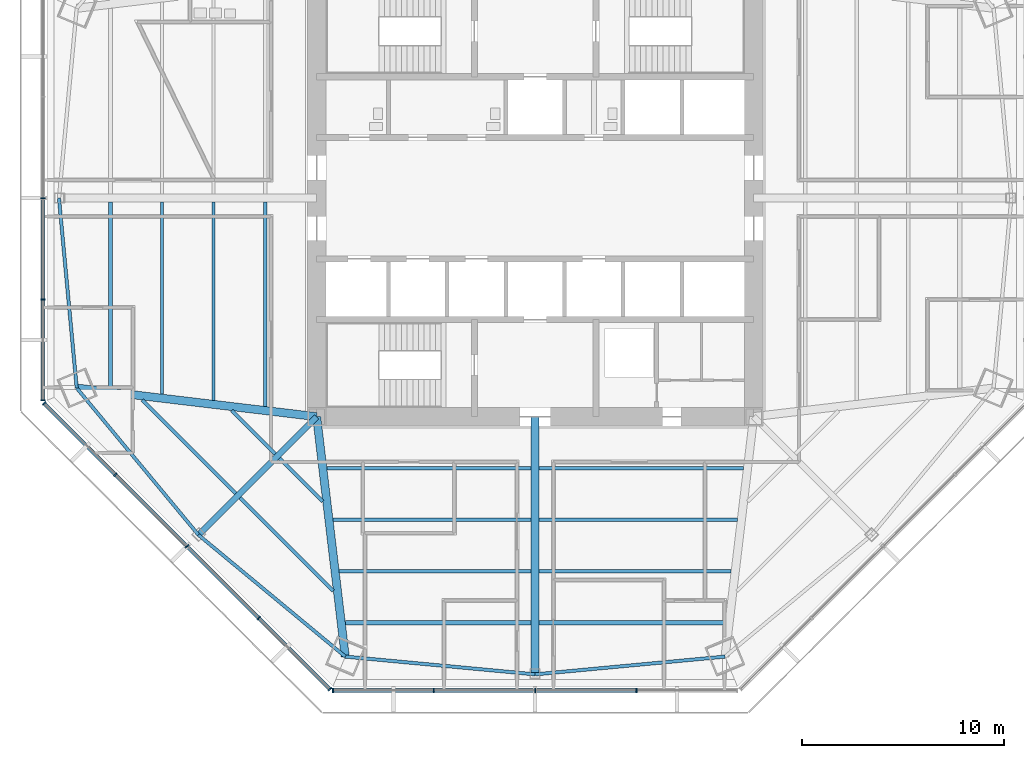
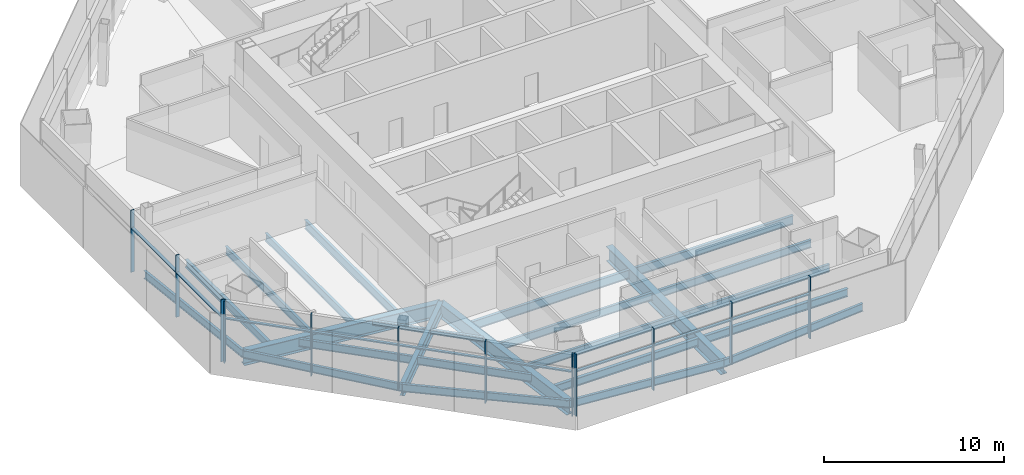
# One storey, part 2 of 14: 25 beams, 21 members, 3 elements without a shape of their own.
"""IFC4 building model written with IfcOpenShell, lengths in metres."""

from ifc_helpers import new_model, si_unit, direction, frame, origin, origin_2d, place, context, subcontext, project, spatial, rectangle, i_section, extrude, source, transform, mapped, material, material_profile, profile_set, type_object, type_shapes, element, aggregate, save


model = new_model("IFC4")

# Units and contexts
model_context = context("Model", 3, precision=1e-05, world=origin(), true_north=direction((0.0, 1.0)))
body_context = subcontext(model_context, "Body", "Model", "MODEL_VIEW")
ifc_project = project(units=[si_unit("LENGTHUNIT", "METRE"), si_unit("AREAUNIT", "SQUARE_METRE"), si_unit("VOLUMEUNIT", "CUBIC_METRE"), si_unit("PLANEANGLEUNIT", "RADIAN"), si_unit("MASSUNIT", "GRAM", prefix="KILO")], contexts=[model_context])

# Site, building, storey
site_placement = place(None, origin())
site = spatial("IfcSite", under=ifc_project, at=site_placement, CompositionType="ELEMENT")
building_placement = place(site_placement, origin())
building = spatial("IfcBuilding", under=site, at=building_placement, Name="Mashrafa Tower", CompositionType="ELEMENT")
storey_placement = place(building_placement, frame((0.0, 0.0, 130.199951171875)))
storey = spatial("IfcBuildingStorey", under=building, at=storey_placement, Name="L29", CompositionType="ELEMENT", Elevation=130.199951171875)

# Beams
ifc_material_1 = material(Name="Steel ASTM A992", Category="steel")
ifc_material_profile_1 = material_profile(ifc_material_1, i_section(OverallWidth=0.164794921875, OverallDepth=0.309814453125, WebThickness=0.005859375, FlangeThickness=0.009765625, FilletRadius=0.007568359375, at=origin_2d()), Name="W12X26")
ifc_profile_set_1 = profile_set([ifc_material_profile_1], Name="Steel ASTM A992")
beam_type_1 = type_object("IfcBeamType", Name="Beam W12X26", PredefinedType="BEAM", material=ifc_profile_set_1)
for number, where, z_axis, x_axis, name in (
    (1, (-12.850830078125, -12.644287109375, -0.31982421875), (-0.707106781187, 0.707106781187, 0.0), (-0.707106781187, -0.707106781187, 0.0), "Floor beam L29 013"),
    (2, (-10.501953125, -14.9931640625, -0.31982421875), (-0.707106781187, 0.707106781187, 0.0), (-0.707106781187, -0.707106781187, 0.0), "Floor beam L29 016"),
):
    element("IfcBeam", number, at=place(storey_placement, frame(where, z_axis=z_axis, x_axis=x_axis)), inside=storey, type_object=beam_type_1, Name=name, PredefinedType="BEAM", context=body_context, shape_type="SweptSolid", body=[
        extrude(i_section(OverallWidth=0.164794921875, OverallDepth=0.309814453125, WebThickness=0.005859375, FlangeThickness=0.009765625, FilletRadius=0.007568359375, at=origin_2d()), origin(), (0.0, 0.0, 1.0), 3.02978515625),
    ])
ifc_material_2 = material(Name="Steel ASTM A992", Category="steel")
ifc_material_profile_2 = material_profile(ifc_material_2, i_section(OverallWidth=0.1650390625, OverallDepth=0.52587890625, WebThickness=0.0087890625, FlangeThickness=0.011474609375, FilletRadius=0.0126953125, at=origin_2d()), Name="W21X44")
ifc_profile_set_2 = profile_set([ifc_material_profile_2], Name="Steel ASTM A992")
beam_type_2 = type_object("IfcBeamType", Name="Beam W21X44", PredefinedType="BEAM", material=ifc_profile_set_2)
beam_1_placement = place(storey_placement, frame((-18.441650390625, -9.686279296875, -0.427734375), z_axis=(0.0, 1.0, 0.0), x_axis=(-1.0, 0.0, 0.0)))
element("IfcBeam", 3, at=beam_1_placement, inside=storey, type_object=beam_type_2, Name="Floor beam L29 004", PredefinedType="BEAM", context=body_context, shape_type="SweptSolid", body=[
    extrude(i_section(OverallWidth=0.1650390625, OverallDepth=0.52587890625, WebThickness=0.0087890625, FlangeThickness=0.011474609375, FilletRadius=0.0126953125, at=origin_2d()), origin(), (0.0, 0.0, 1.0), 9.485595703125),
])
beam_2_placement = place(storey_placement, frame((-15.89453125, -9.989990234375, -0.427734375), z_axis=(0.0, 1.0, 0.0), x_axis=(-1.0, 0.0, 0.0)))
element("IfcBeam", 4, at=beam_2_placement, inside=storey, type_object=beam_type_2, Name="Floor beam L29 006", PredefinedType="BEAM", context=body_context, shape_type="SweptSolid", body=[
    extrude(i_section(OverallWidth=0.1650390625, OverallDepth=0.52587890625, WebThickness=0.0087890625, FlangeThickness=0.011474609375, FilletRadius=0.0126953125, at=origin_2d()), origin(), (0.0, 0.0, 1.0), 9.789306640625),
])
for number, where, z_axis, x_axis, name in (
    (5, (-14.79833984375, -14.591796875, -0.427734375), (-0.707106781187, 0.707106781187, 0.0), (-0.707106781187, -0.707106781187, 0.0), "Floor beam L29 009"),
    (6, (-9.97412109375, -19.416015625, -0.427734375), (-0.707106781187, 0.707106781187, 0.0), (-0.707106781187, -0.707106781187, 0.0), "Floor beam L29 019"),
):
    element("IfcBeam", number, at=place(storey_placement, frame(where, z_axis=z_axis, x_axis=x_axis)), inside=storey, type_object=beam_type_2, Name=name, PredefinedType="BEAM", context=body_context, shape_type="SweptSolid", body=[
        extrude(i_section(OverallWidth=0.1650390625, OverallDepth=0.52587890625, WebThickness=0.0087890625, FlangeThickness=0.011474609375, FilletRadius=0.0126953125, at=origin_2d()), origin(), (0.0, 0.0, 1.0), 6.5302734375),
    ])
beam_3_placement = place(storey_placement, frame((-0.20068359375, -18.441650390625, -0.427734375), z_axis=(-1.0, 0.0, 0.0), x_axis=(0.0, -1.0, 0.0)))
element("IfcBeam", 7, at=beam_3_placement, inside=storey, type_object=beam_type_2, Name="Floor beam L29 022", PredefinedType="BEAM", context=body_context, shape_type="SweptSolid", body=[
    extrude(i_section(OverallWidth=0.1650390625, OverallDepth=0.52587890625, WebThickness=0.0087890625, FlangeThickness=0.011474609375, FilletRadius=0.0126953125, at=origin_2d()), origin(), (0.0, 0.0, 1.0), 9.485595703125),
])
beam_4_placement = place(storey_placement, frame((-0.20068359375, -15.89453125, -0.427734375), z_axis=(-1.0, 0.0, 0.0), x_axis=(0.0, -1.0, 0.0)))
element("IfcBeam", 8, at=beam_4_placement, inside=storey, type_object=beam_type_2, Name="Floor beam L29 023", PredefinedType="BEAM", context=body_context, shape_type="SweptSolid", body=[
    extrude(i_section(OverallWidth=0.1650390625, OverallDepth=0.52587890625, WebThickness=0.0087890625, FlangeThickness=0.011474609375, FilletRadius=0.0126953125, at=origin_2d()), origin(), (0.0, 0.0, 1.0), 9.789306640625),
])
beam_5_placement = place(storey_placement, frame((9.686279296875, -18.441650390625, -0.427734375), z_axis=(-1.0, 0.0, 0.0), x_axis=(0.0, -1.0, 0.0)))
element("IfcBeam", 9, at=beam_5_placement, inside=storey, type_object=beam_type_2, Name="Floor beam L29 031", PredefinedType="BEAM", context=body_context, shape_type="SweptSolid", body=[
    extrude(i_section(OverallWidth=0.1650390625, OverallDepth=0.52587890625, WebThickness=0.0087890625, FlangeThickness=0.011474609375, FilletRadius=0.0126953125, at=origin_2d()), origin(), (0.0, 0.0, 1.0), 9.485595703125),
])
beam_6_placement = place(storey_placement, frame((9.989990234375, -15.89453125, -0.427734375), z_axis=(-1.0, 0.0, 0.0), x_axis=(0.0, -1.0, 0.0)))
element("IfcBeam", 10, at=beam_6_placement, inside=storey, type_object=beam_type_2, Name="Floor beam L29 032", PredefinedType="BEAM", context=body_context, shape_type="SweptSolid", body=[
    extrude(i_section(OverallWidth=0.1650390625, OverallDepth=0.52587890625, WebThickness=0.0087890625, FlangeThickness=0.011474609375, FilletRadius=0.0126953125, at=origin_2d()), origin(), (0.0, 0.0, 1.0), 9.789306640625),
])
for number, where, z_axis, x_axis, name in (
    (11, (-23.5361328125, 0.0, -0.427734375), (0.093162590864, -0.995650908533, 0.0), (0.995650908533, 0.093162590864, 0.0), "Spandrel beam L29 065"),
    (12, (-22.657958984375, -9.38525390625, -0.427734375), (0.63815431328, -0.76990848316, 0.0), (0.76990848316, 0.63815431328, 0.0), "Spandrel beam L29 066"),
    (13, (-16.642578125, -16.642578125, -0.427734375), (0.76990848316, -0.63815431328, 0.0), (0.63815431328, 0.76990848316, 0.0), "Spandrel beam L29 068"),
    (14, (-9.38525390625, -22.657958984375, -0.427734375), (0.995650908533, -0.093162590864, 0.0), (0.093162590864, 0.995650908533, 0.0), "Spandrel beam L29 070"),
    (15, (0.0, -23.5361328125, -0.427734375), (0.995650908533, 0.093162590864, 0.0), (-0.093162590864, 0.995650908533, 0.0), "Spandrel beam L29 072"),
):
    element("IfcBeam", number, at=place(storey_placement, frame(where, z_axis=z_axis, x_axis=x_axis)), inside=storey, type_object=beam_type_2, Name=name, PredefinedType="BEAM", context=body_context, shape_type="SweptSolid", body=[
        extrude(i_section(OverallWidth=0.1650390625, OverallDepth=0.52587890625, WebThickness=0.0087890625, FlangeThickness=0.011474609375, FilletRadius=0.0126953125, at=origin_2d()), origin(), (0.0, 0.0, 1.0), 9.42626953125),
    ])
ifc_material_3 = material(Name="Steel ASTM A992", Category="steel")
ifc_material_profile_3 = material_profile(ifc_material_3, i_section(OverallWidth=0.209228515625, OverallDepth=0.533447265625, WebThickness=0.01025390625, FlangeThickness=0.015625, FilletRadius=0.012939453125, at=origin_2d()), Name="W21X62")
ifc_profile_set_3 = profile_set([ifc_material_profile_3], Name="Steel ASTM A992")
beam_type_3 = type_object("IfcBeamType", Name="Beam W21X62", PredefinedType="BEAM", material=ifc_profile_set_3)
for number, where, z_axis, x_axis, name in (
    (16, (-20.989013671875, -9.38232421875, -0.431640625), (0.0, 1.0, 0.0), (-1.0, 0.0, 0.0), "Floor beam L29 001"),
    (17, (-0.20068359375, -20.989013671875, -0.431640625), (-1.0, 0.0, 0.0), (0.0, -1.0, 0.0), "Floor beam L29 021"),
    (18, (9.38232421875, -20.989013671875, -0.431640625), (-1.0, 0.0, 0.0), (0.0, -1.0, 0.0), "Floor beam L29 029"),
):
    element("IfcBeam", number, at=place(storey_placement, frame(where, z_axis=z_axis, x_axis=x_axis)), inside=storey, type_object=beam_type_3, Name=name, PredefinedType="BEAM", context=body_context, shape_type="SweptSolid", body=[
        extrude(i_section(OverallWidth=0.209228515625, OverallDepth=0.533447265625, WebThickness=0.01025390625, FlangeThickness=0.015625, FilletRadius=0.012939453125, at=origin_2d()), origin(), (0.0, 0.0, 1.0), 9.181640625),
    ])
ifc_material_4 = material(Name="Steel ASTM A992", Category="steel")
ifc_material_profile_4 = material_profile(ifc_material_4, i_section(OverallWidth=0.177978515625, OverallDepth=0.599365234375, WebThickness=0.010009765625, FlangeThickness=0.012939453125, FilletRadius=0.012939453125, at=origin_2d()), Name="W24X55")
ifc_profile_set_4 = profile_set([ifc_material_profile_4], Name="Steel ASTM A992")
beam_type_4 = type_object("IfcBeamType", Name="Beam W24X55", PredefinedType="BEAM", material=ifc_profile_set_4)
for number, where, z_axis, x_axis, name in (
    (19, (-13.34716796875, -10.2939453125, -0.464599609375), (0.0, 1.0, 0.0), (-1.0, 0.0, 0.0), "Floor beam L29 011"),
    (20, (-0.20068359375, -13.34716796875, -0.464599609375), (-1.0, 0.0, 0.0), (0.0, -1.0, 0.0), "Floor beam L29 024"),
    (21, (10.2939453125, -13.34716796875, -0.464599609375), (-1.0, 0.0, 0.0), (0.0, -1.0, 0.0), "Floor beam L29 034"),
):
    element("IfcBeam", number, at=place(storey_placement, frame(where, z_axis=z_axis, x_axis=x_axis)), inside=storey, type_object=beam_type_4, Name=name, PredefinedType="BEAM", context=body_context, shape_type="SweptSolid", body=[
        extrude(i_section(OverallWidth=0.177978515625, OverallDepth=0.599365234375, WebThickness=0.010009765625, FlangeThickness=0.012939453125, FilletRadius=0.012939453125, at=origin_2d()), origin(), (0.0, 0.0, 1.0), 10.09326171875),
    ])
ifc_material_5 = material(Name="Steel ASTM A992", Category="steel")
ifc_material_profile_5 = material_profile(ifc_material_5, i_section(OverallWidth=0.2919921875, OverallDepth=0.8408203125, WebThickness=0.0146484375, FlangeThickness=0.021728515625, FilletRadius=0.017333984375, at=origin_2d()), Name="W33X130")
ifc_profile_set_5 = profile_set([ifc_material_profile_5], Name="Steel ASTM A992")
beam_type_5 = type_object("IfcBeamType", Name="Beam W33X130", PredefinedType="BEAM", material=ifc_profile_set_5)
beam_7_placement = place(storey_placement, frame((-10.800048828125, -10.800048828125, -0.585205078125), z_axis=(-0.707106781187, -0.707106781187, 0.0), x_axis=(0.707106781187, -0.707106781187, 0.0)))
element("IfcBeam", 22, at=beam_7_placement, inside=storey, type_object=beam_type_5, Name="Radial girder L29 050", PredefinedType="BEAM", context=body_context, shape_type="SweptSolid", body=[
    extrude(i_section(OverallWidth=0.2919921875, OverallDepth=0.8408203125, WebThickness=0.0146484375, FlangeThickness=0.021728515625, FilletRadius=0.017333984375, at=origin_2d()), origin(), (0.0, 0.0, 1.0), 8.2626953125),
])
ifc_material_6 = material(Name="Steel ASTM A992", Category="steel")
ifc_material_profile_6 = material_profile(ifc_material_6, i_section(OverallWidth=0.4013671875, OverallDepth=0.98291015625, WebThickness=0.0166015625, FlangeThickness=0.027099609375, FilletRadius=0.0126953125, at=origin_2d()), Name="W40X199")
ifc_profile_set_6 = profile_set([ifc_material_profile_6], Name="Steel ASTM A992")
beam_type_6 = type_object("IfcBeamType", Name="Beam W40X199", PredefinedType="BEAM", material=ifc_profile_set_6)
for number, where, z_axis, x_axis, name in (
    (23, (-10.800048828125, -10.800048828125, -0.656494140625), (-0.992957386055, 0.118472062017, 0.0), (-0.118472062017, -0.992957386055, 0.0), "Radial girder L29 049"),
    (24, (-10.800048828125, -10.800048828125, -0.656494140625), (0.118472062017, -0.992957386055, 0.0), (0.992957386055, 0.118472062017, 0.0), "Radial girder L29 051"),
):
    element("IfcBeam", number, at=place(storey_placement, frame(where, z_axis=z_axis, x_axis=x_axis)), inside=storey, type_object=beam_type_6, Name=name, PredefinedType="BEAM", context=body_context, shape_type="SweptSolid", body=[
        extrude(i_section(OverallWidth=0.4013671875, OverallDepth=0.98291015625, WebThickness=0.0166015625, FlangeThickness=0.027099609375, FilletRadius=0.0126953125, at=origin_2d()), origin(), (0.0, 0.0, 1.0), 11.94189453125),
    ])
ifc_material_7 = material(Name="Steel ASTM A992", Category="steel")
ifc_material_profile_7 = material_profile(ifc_material_7, i_section(OverallWidth=0.4013671875, OverallDepth=1.010986328125, WebThickness=0.023681640625, FlangeThickness=0.0419921875, FilletRadius=0.02001953125, at=origin_2d()), Name="W40X297")
ifc_profile_set_7 = profile_set([ifc_material_profile_7], Name="Steel ASTM A992")
beam_type_7 = type_object("IfcBeamType", Name="Beam W40X297", PredefinedType="BEAM", material=ifc_profile_set_7)
beam_8_placement = place(storey_placement, frame((0.0, -10.800048828125, -0.67041015625), z_axis=(0.0, -1.0, 0.0), x_axis=(1.0, 0.0, 0.0)))
element("IfcBeam", 25, at=beam_8_placement, inside=storey, type_object=beam_type_7, Name="Radial girder L29 056", PredefinedType="BEAM", context=body_context, shape_type="SweptSolid", body=[
    extrude(i_section(OverallWidth=0.4013671875, OverallDepth=1.010986328125, WebThickness=0.023681640625, FlangeThickness=0.0419921875, FilletRadius=0.02001953125, at=origin_2d()), origin(), (0.0, 0.0, 1.0), 12.736083984375),
])

# Curtain wall, members
ifc_material_8 = material(Name="Unitised aluminium curtain wall", Category="aluminium")
curtain_wall_type = type_object("IfcCurtainWallType", Name="Office curtain wall, zone 2 CW-B 225 deep", PredefinedType="NOTDEFINED", material=ifc_material_8)
curtain_wall_1_placement = place(storey_placement, origin())
curtain_wall_1 = element("IfcCurtainWall", 26, at=curtain_wall_1_placement, inside=storey, type_object=curtain_wall_type, Name="Office curtain wall, zone 2 L29 west", PredefinedType="NOTDEFINED")
ifc_material_9 = material(Name="Extruded aluminium mullion", Category="aluminium")
ifc_material_profile_8 = material_profile(ifc_material_9, rectangle(XDim=0.22509765625, YDim=0.06494140625, at=origin_2d()), Name="Mullion 65x225")
ifc_profile_set_8 = profile_set([ifc_material_profile_8], Name="Extruded aluminium mullion")
member_type_1 = type_object("IfcMemberType", Name="Mullion CW-B 65 x 225", PredefinedType="MULLION", material=ifc_profile_set_8)
shared_shape_1 = source(origin(), body_context, "Body", "SweptSolid", [
    extrude(rectangle(XDim=0.22509765625, YDim=0.06494140625, at=origin_2d()), origin(), (0.0, 0.0, 1.0), 4.199951171875),
])
type_shapes(member_type_1, [shared_shape_1])
member_1_placement = place(storey_placement, frame((-24.33154296875, 0.0, 0.0), z_axis=(0.0, 0.0, 1.0), x_axis=(1.0, 0.0, 0.0)))
member_1 = element("IfcMember", 27, at=member_1_placement, type_object=member_type_1, Name="CW-B mullion 3", PredefinedType="MULLION", context=body_context, shape_type="MappedRepresentation", body=[
    mapped(shared_shape_1, transform((0.0, 0.0, 0.0))),
])
member_2_placement = place(storey_placement, frame((-24.33154296875, -5.010986328125, 0.0), z_axis=(0.0, 0.0, 1.0), x_axis=(1.0, 0.0, 0.0)))
member_2 = element("IfcMember", 28, at=member_2_placement, type_object=member_type_1, Name="CW-B mullion 4", PredefinedType="MULLION", context=body_context, shape_type="MappedRepresentation", body=[
    mapped(shared_shape_1, transform((0.0, 0.0, 0.0))),
])
member_3_placement = place(storey_placement, frame((-24.33154296875, -9.9892578125, 0.0), z_axis=(0.0, 0.0, 1.0), x_axis=(1.0, 0.0, 0.0)))
member_3 = element("IfcMember", 29, at=member_3_placement, type_object=member_type_1, Name="CW-B mullion 5", PredefinedType="MULLION", context=body_context, shape_type="MappedRepresentation", body=[
    mapped(shared_shape_1, transform((0.0, 0.0, 0.0))),
])

curtain_wall_2_placement = place(storey_placement, origin())
curtain_wall_2 = element("IfcCurtainWall", 30, at=curtain_wall_2_placement, inside=storey, type_object=curtain_wall_type, Name="Office curtain wall, zone 2 L29 south-west", PredefinedType="NOTDEFINED")
member_4_placement = place(storey_placement, frame((-24.2685546875, -10.141357421875, 0.0), z_axis=(0.0, 0.0, 1.0), x_axis=(0.707106781187, 0.707106781187, 0.0)))
member_4 = element("IfcMember", 31, at=member_4_placement, type_object=member_type_1, Name="CW-B mullion 1", PredefinedType="MULLION", context=body_context, shape_type="MappedRepresentation", body=[
    mapped(shared_shape_1, transform((0.0, 0.0, 0.0))),
])
member_5_placement = place(storey_placement, frame((-20.748291015625, -13.66162109375, 0.0), z_axis=(0.0, 0.0, 1.0), x_axis=(0.707106781187, 0.707106781187, 0.0)))
member_5 = element("IfcMember", 32, at=member_5_placement, type_object=member_type_1, Name="CW-B mullion 2", PredefinedType="MULLION", context=body_context, shape_type="MappedRepresentation", body=[
    mapped(shared_shape_1, transform((0.0, 0.0, 0.0))),
])
member_6_placement = place(storey_placement, frame((-17.205078125, -17.205078125, 0.0), z_axis=(0.0, 0.0, 1.0), x_axis=(0.707106781187, 0.707106781187, 0.0)))
member_6 = element("IfcMember", 33, at=member_6_placement, type_object=member_type_1, Name="CW-B mullion 3", PredefinedType="MULLION", context=body_context, shape_type="MappedRepresentation", body=[
    mapped(shared_shape_1, transform((0.0, 0.0, 0.0))),
])
member_7_placement = place(storey_placement, frame((-13.66162109375, -20.748291015625, 0.0), z_axis=(0.0, 0.0, 1.0), x_axis=(0.707106781187, 0.707106781187, 0.0)))
member_7 = element("IfcMember", 34, at=member_7_placement, type_object=member_type_1, Name="CW-B mullion 4", PredefinedType="MULLION", context=body_context, shape_type="MappedRepresentation", body=[
    mapped(shared_shape_1, transform((0.0, 0.0, 0.0))),
])
member_8_placement = place(storey_placement, frame((-10.141357421875, -24.2685546875, 0.0), z_axis=(0.0, 0.0, 1.0), x_axis=(0.707106781187, 0.707106781187, 0.0)))
member_8 = element("IfcMember", 35, at=member_8_placement, type_object=member_type_1, Name="CW-B mullion 5", PredefinedType="MULLION", context=body_context, shape_type="MappedRepresentation", body=[
    mapped(shared_shape_1, transform((0.0, 0.0, 0.0))),
])

curtain_wall_3_placement = place(storey_placement, origin())
curtain_wall_3 = element("IfcCurtainWall", 36, at=curtain_wall_3_placement, inside=storey, type_object=curtain_wall_type, Name="Office curtain wall, zone 2 L29 south", PredefinedType="NOTDEFINED")
member_9_placement = place(storey_placement, frame((-9.9892578125, -24.33154296875, 0.0), z_axis=(0.0, 0.0, 1.0), x_axis=(0.0, 1.0, 0.0)))
member_9 = element("IfcMember", 37, at=member_9_placement, type_object=member_type_1, Name="CW-B mullion 1", PredefinedType="MULLION", context=body_context, shape_type="MappedRepresentation", body=[
    mapped(shared_shape_1, transform((0.0, 0.0, 0.0))),
])
member_10_placement = place(storey_placement, frame((-5.010986328125, -24.33154296875, 0.0), z_axis=(0.0, 0.0, 1.0), x_axis=(0.0, 1.0, 0.0)))
member_10 = element("IfcMember", 38, at=member_10_placement, type_object=member_type_1, Name="CW-B mullion 2", PredefinedType="MULLION", context=body_context, shape_type="MappedRepresentation", body=[
    mapped(shared_shape_1, transform((0.0, 0.0, 0.0))),
])
member_11_placement = place(storey_placement, frame((0.0, -24.33154296875, 0.0), z_axis=(0.0, 0.0, 1.0), x_axis=(0.0, 1.0, 0.0)))
member_11 = element("IfcMember", 39, at=member_11_placement, type_object=member_type_1, Name="CW-B mullion 3", PredefinedType="MULLION", context=body_context, shape_type="MappedRepresentation", body=[
    mapped(shared_shape_1, transform((0.0, 0.0, 0.0))),
])
member_12_placement = place(storey_placement, frame((5.010986328125, -24.33154296875, 0.0), z_axis=(0.0, 0.0, 1.0), x_axis=(0.0, 1.0, 0.0)))
member_12 = element("IfcMember", 40, at=member_12_placement, type_object=member_type_1, Name="CW-B mullion 4", PredefinedType="MULLION", context=body_context, shape_type="MappedRepresentation", body=[
    mapped(shared_shape_1, transform((0.0, 0.0, 0.0))),
])

# Member
ifc_material_10 = material(Name="Extruded aluminium transom", Category="aluminium")
ifc_material_profile_9 = material_profile(ifc_material_10, rectangle(XDim=0.179931640625, YDim=0.080078125, at=origin_2d()), Name="Transom 80x180")
ifc_profile_set_9 = profile_set([ifc_material_profile_9], Name="Extruded aluminium transom")
member_type_2 = type_object("IfcMemberType", Name="Transom CW-B 80 x 180", PredefinedType="MULLION", material=ifc_profile_set_9)
shared_shape_2 = source(origin(), body_context, "Body", "SweptSolid", [
    extrude(rectangle(XDim=0.179931640625, YDim=0.080078125, at=origin_2d()), origin(), (0.0, 0.0, 1.0), 4.913330078125),
])
member_13_placement = place(storey_placement, frame((-24.33154296875, -5.04345703125, 3.0), z_axis=(0.0, -1.0, 0.0), x_axis=(1.0, 0.0, 0.0)))
member_13 = element("IfcMember", 41, at=member_13_placement, type_object=member_type_2, Name="CW-B transom 4", PredefinedType="MULLION", context=body_context, shape_type="MappedRepresentation", body=[
    mapped(shared_shape_2, transform((0.0, 0.0, 0.0))),
])

member_14_placement = place(storey_placement, frame((-24.24560546875, -10.16455078125, 3.0), z_axis=(0.707131625512, -0.707081935988, 0.0), x_axis=(0.707081935988, 0.707131625512, 0.0)))
member_14 = element("IfcMember", 42, at=member_14_placement, type_object=member_type_2, Name="CW-B transom 1", PredefinedType="MULLION", context=body_context, shape_type="MappedRepresentation", body=[
    mapped(shared_shape_2, transform((0.0, 0.0, 0.0))),
])

member_15_placement = place(storey_placement, frame((-13.638671875, -20.771240234375, 3.0), z_axis=(0.707081935988, -0.707131625512, 0.0), x_axis=(0.707131625512, 0.707081935988, 0.0)))
member_15 = element("IfcMember", 43, at=member_15_placement, type_object=member_type_2, Name="CW-B transom 4", PredefinedType="MULLION", context=body_context, shape_type="MappedRepresentation", body=[
    mapped(shared_shape_2, transform((0.0, 0.0, 0.0))),
])

member_16_placement = place(storey_placement, frame((-9.956787109375, -24.33154296875, 3.0), z_axis=(1.0, 0.0, 0.0), x_axis=(0.0, 1.0, 0.0)))
member_16 = element("IfcMember", 44, at=member_16_placement, type_object=member_type_2, Name="CW-B transom 1", PredefinedType="MULLION", context=body_context, shape_type="MappedRepresentation", body=[
    mapped(shared_shape_2, transform((0.0, 0.0, 0.0))),
])

shared_shape_3 = source(origin(), body_context, "Body", "SweptSolid", [
    extrude(rectangle(XDim=0.179931640625, YDim=0.080078125, at=origin_2d()), origin(), (0.0, 0.0, 1.0), 4.946044921875),
])
type_shapes(member_type_2, [shared_shape_2, shared_shape_3])
member_17_placement = place(storey_placement, frame((-24.33154296875, -0.032470703125, 3.0), z_axis=(0.0, -1.0, 0.0), x_axis=(1.0, 0.0, 0.0)))
member_17 = element("IfcMember", 45, at=member_17_placement, type_object=member_type_2, Name="CW-B transom 3", PredefinedType="MULLION", context=body_context, shape_type="MappedRepresentation", body=[
    mapped(shared_shape_3, transform((0.0, 0.0, 0.0))),
])

aggregate(curtain_wall_1, [member_1, member_2, member_3, member_17, member_13])

member_18_placement = place(storey_placement, frame((-20.725341796875, -13.684814453125, 3.0), z_axis=(0.707106781187, -0.707106781187, 0.0), x_axis=(0.707106781187, 0.707106781187, 0.0)))
member_18 = element("IfcMember", 46, at=member_18_placement, type_object=member_type_2, Name="CW-B transom 2", PredefinedType="MULLION", context=body_context, shape_type="MappedRepresentation", body=[
    mapped(shared_shape_3, transform((0.0, 0.0, 0.0))),
])

member_19_placement = place(storey_placement, frame((-17.18212890625, -17.22802734375, 3.0), z_axis=(0.707106781187, -0.707106781187, 0.0), x_axis=(0.707106781187, 0.707106781187, 0.0)))
member_19 = element("IfcMember", 47, at=member_19_placement, type_object=member_type_2, Name="CW-B transom 3", PredefinedType="MULLION", context=body_context, shape_type="MappedRepresentation", body=[
    mapped(shared_shape_3, transform((0.0, 0.0, 0.0))),
])

aggregate(curtain_wall_2, [member_4, member_5, member_6, member_7, member_8, member_14, member_18, member_19, member_15])

member_20_placement = place(storey_placement, frame((-4.978515625, -24.33154296875, 3.0), z_axis=(1.0, 0.0, 0.0), x_axis=(0.0, 1.0, 0.0)))
member_20 = element("IfcMember", 48, at=member_20_placement, type_object=member_type_2, Name="CW-B transom 2", PredefinedType="MULLION", context=body_context, shape_type="MappedRepresentation", body=[
    mapped(shared_shape_3, transform((0.0, 0.0, 0.0))),
])

member_21_placement = place(storey_placement, frame((0.032470703125, -24.33154296875, 3.0), z_axis=(1.0, 0.0, 0.0), x_axis=(0.0, 1.0, 0.0)))
member_21 = element("IfcMember", 49, at=member_21_placement, type_object=member_type_2, Name="CW-B transom 3", PredefinedType="MULLION", context=body_context, shape_type="MappedRepresentation", body=[
    mapped(shared_shape_3, transform((0.0, 0.0, 0.0))),
])

aggregate(curtain_wall_3, [member_9, member_10, member_11, member_12, member_16, member_20, member_21])

save(model, "model.ifc")
